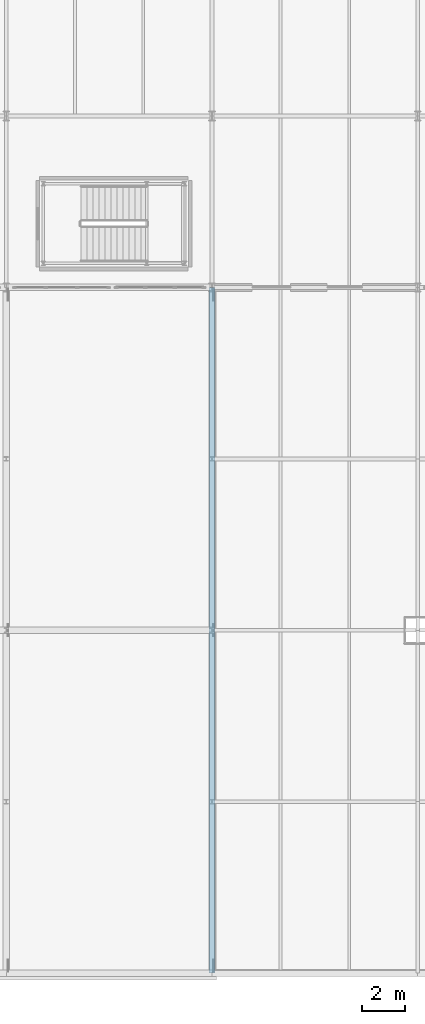
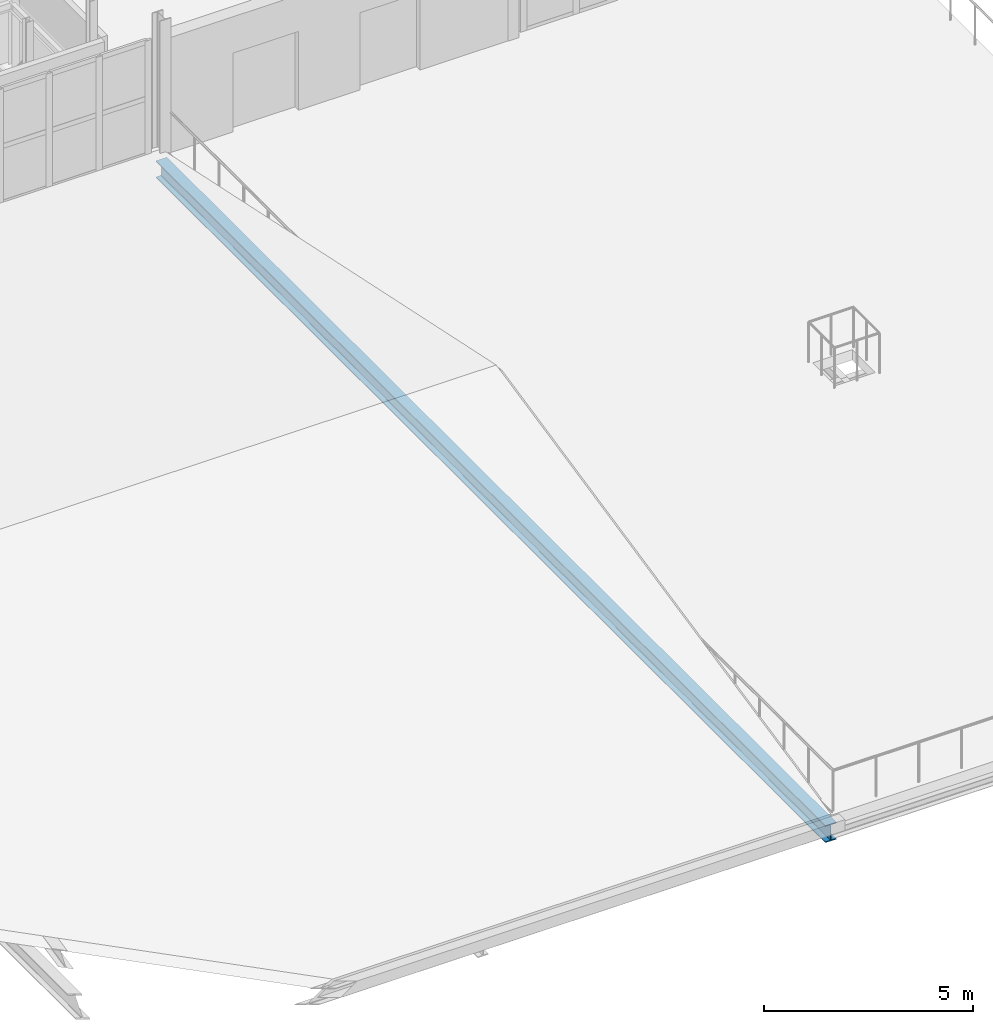
# One storey, part 37 of 85: 1 beam.
"""IFC4 building model written with IfcOpenShell, lengths in metres."""

from ifc_helpers import new_model, si_unit, direction, frame, origin, origin_2d, place, context, subcontext, project, spatial, i_section, extrude, material, material_profile, profile_set, type_object, element, save


model = new_model("IFC4")

# Units and contexts
model_context = context("Model", 3, precision=1e-05, world=origin(), true_north=direction((0.0, 1.0)))
body_context = subcontext(model_context, "Body", "Model", "MODEL_VIEW")
ifc_project = project(units=[si_unit("LENGTHUNIT", "METRE"), si_unit("AREAUNIT", "SQUARE_METRE"), si_unit("VOLUMEUNIT", "CUBIC_METRE"), si_unit("PLANEANGLEUNIT", "RADIAN"), si_unit("MASSUNIT", "GRAM", prefix="KILO")], contexts=[model_context])

# Site, building, storey
site_placement = place(None, origin())
site = spatial("IfcSite", under=ifc_project, at=site_placement, CompositionType="ELEMENT")
building_placement = place(site_placement, origin())
building = spatial("IfcBuilding", under=site, at=building_placement, Name="Alderhovde Museum", CompositionType="ELEMENT")
storey_placement = place(building_placement, frame((0.0, 0.0, 8.699951171875)))
storey = spatial("IfcBuildingStorey", under=building, at=storey_placement, Name="L02", CompositionType="ELEMENT", Elevation=8.699951171875)

# Beam
ifc_material = material(Name="Steel S355J2", Category="steel")
ifc_material_profile = material_profile(ifc_material, i_section(OverallWidth=0.300048828125, OverallDepth=0.5, WebThickness=0.014404296875, FlangeThickness=0.028076171875, FilletRadius=0.027099609375, at=origin_2d()), Name="HEB 500")
ifc_profile_set = profile_set([ifc_material_profile], Name="Steel S355J2")
beam_type = type_object("IfcBeamType", Name="BM-HEB500", PredefinedType="BEAM", material=ifc_profile_set)
beam_placement = place(storey_placement, frame((96.0, 0.0, -0.5), z_axis=(0.0, 1.0, 0.0), x_axis=(-1.0, 0.0, 0.0)))
element("IfcBeam", 1, at=beam_placement, inside=storey, type_object=beam_type, Name="Auditorium Roof Truss X=96.0 Tie", PredefinedType="BEAM", context=body_context, shape_type="SweptSolid", body=[
    extrude(i_section(OverallWidth=0.300048828125, OverallDepth=0.5, WebThickness=0.014404296875, FlangeThickness=0.028076171875, FilletRadius=0.027099609375, at=origin_2d()), origin(), (0.0, 0.0, 1.0), 32.0),
])

save(model, "model.ifc")
